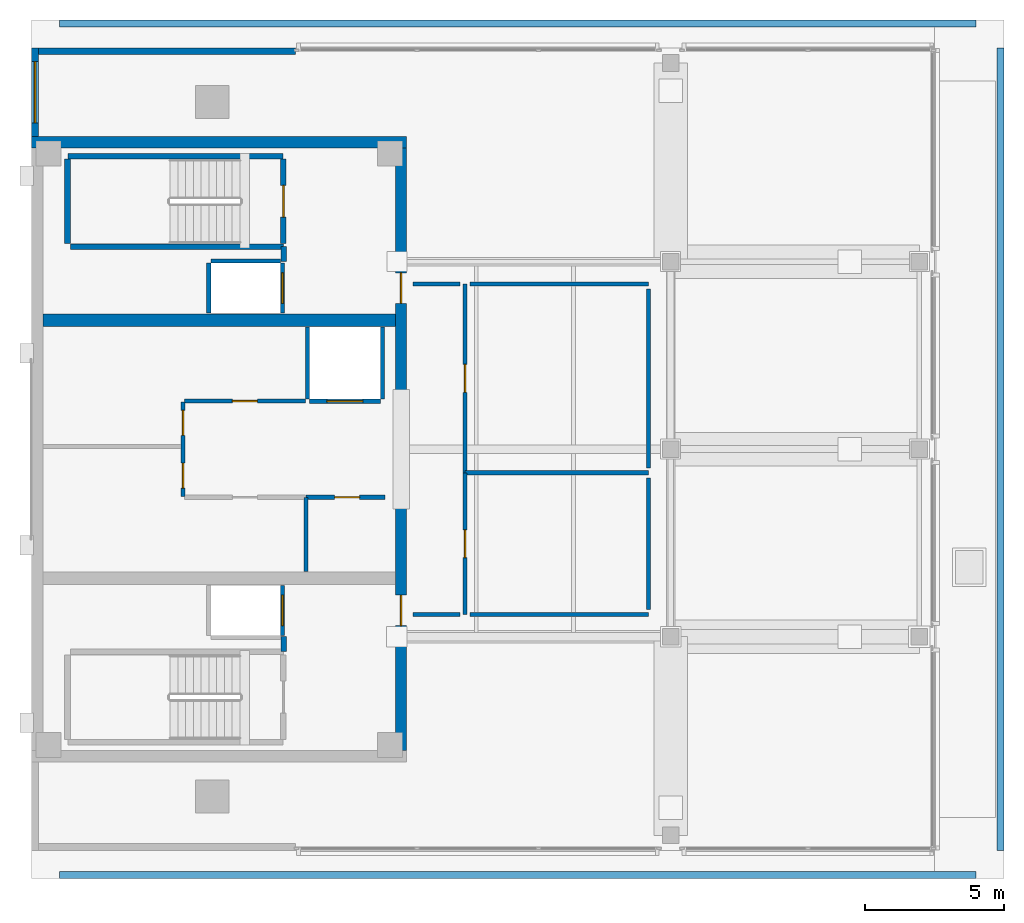
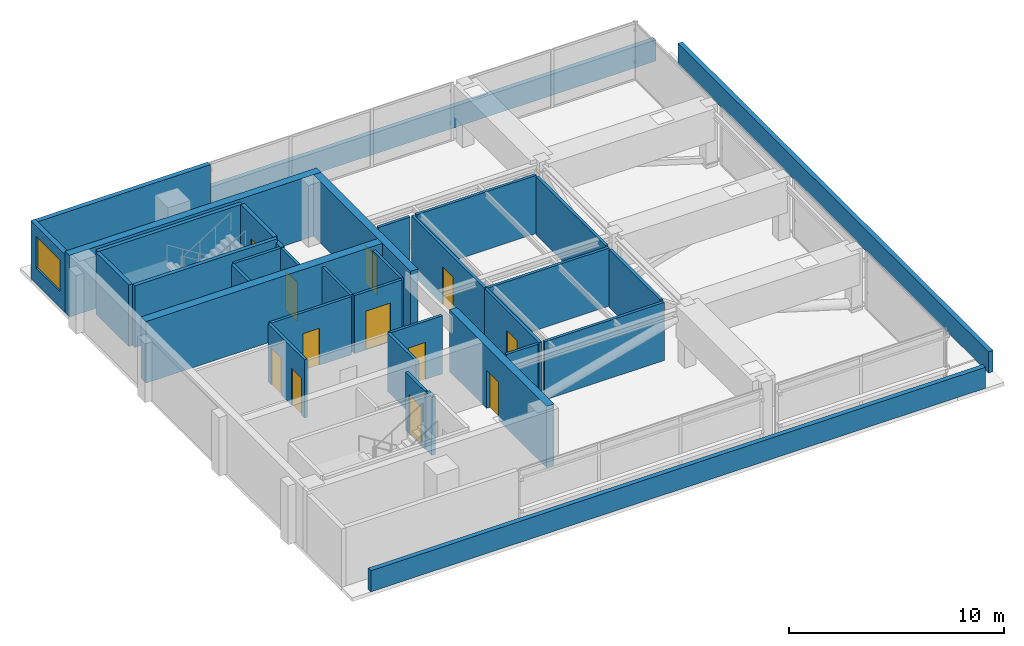
# One storey, part 5 of 10: 35 walls, 12 doors, 1 window, 13 openings.
"""IFC4 building model written with IfcOpenShell, lengths in metres."""

from ifc_helpers import new_model, si_unit, direction, frame, frame_2d, origin, place, context, subcontext, project, spatial, rectangle, extrude, material, layer, layer_set, type_object, element, fill, save


model = new_model("IFC4")

# Units and contexts
model_context = context("Model", 3, precision=1e-05, world=origin(), true_north=direction((0.0, 1.0)))
body_context = subcontext(model_context, "Body", "Model", "MODEL_VIEW")
ifc_project = project(units=[si_unit("LENGTHUNIT", "METRE"), si_unit("AREAUNIT", "SQUARE_METRE"), si_unit("VOLUMEUNIT", "CUBIC_METRE"), si_unit("PLANEANGLEUNIT", "RADIAN"), si_unit("MASSUNIT", "GRAM", prefix="KILO")], contexts=[model_context])

# Site, building, storey
site_placement = place(None, origin())
site = spatial("IfcSite", under=ifc_project, at=site_placement, CompositionType="ELEMENT")
building_placement = place(site_placement, origin())
building = spatial("IfcBuilding", under=site, at=building_placement, Name="Kinhvarn Gate Tower", CompositionType="ELEMENT")
storey_placement = place(building_placement, frame((0.0, 0.0, 311.050048828125)))
storey = spatial("IfcBuildingStorey", under=building, at=storey_placement, Name="L82", CompositionType="ELEMENT", Elevation=311.050048828125)

# Wall
ifc_material_1 = material(Name="Concrete C50/60", Category="concrete")
ifc_layer_1 = layer(ifc_material_1, 0.39990234375)
ifc_layer_set_1 = layer_set([ifc_layer_1], Name="Concrete C50/60")
wall_type_1 = type_object("IfcWallType", Name="WL-CORE-400", PredefinedType="SHEAR", material=ifc_layer_set_1)
wall_1_placement = place(storey_placement, frame((4.5, 36.300048828125, 0.0), z_axis=(0.0, 0.0, 1.0), x_axis=(1.0, 0.0, 0.0)))
element("IfcWall", 1, at=wall_1_placement, inside=storey, type_object=wall_type_1, Name="Core North Shear Wall L82 400 mm", PredefinedType="SHEAR", context=body_context, shape_type="SweptSolid", body=[
    extrude(rectangle(XDim=13.5, YDim=0.39990234375, at=frame_2d((6.75, 0.0))), origin(), (0.0, 0.0, 1.0), 3.5),
])

# Wall, opening, door
wall_2_placement = place(storey_placement, frame((17.800048828125, 14.39990234375, 0.0), z_axis=(0.0, 0.0, 1.0), x_axis=(0.0, 1.0, 0.0)))
wall_2 = element("IfcWall", 2, at=wall_2_placement, inside=storey, type_object=wall_type_1, Name="Core East-South Shear Pier L82 400 mm", PredefinedType="SHEAR", context=body_context, shape_type="SweptSolid", body=[
    extrude(rectangle(XDim=9.050048828125, YDim=0.39990234375, at=frame_2d((4.52490234375, 0.0))), origin(), (0.0, 0.0, 1.0), 3.5),
])
opening_1_placement = place(wall_2_placement, frame((4.5, 0.0, 0.0)))
opening_1 = element("IfcOpeningElement", 3, at=opening_1_placement, cuts=wall_2, Name="Opening FD-02", PredefinedType="OPENING", context=body_context, shape_type="SweptSolid", body=[
    extrude(rectangle(XDim=1.10009765625, YDim=2.14990234375, at=frame_2d((0.550048828125, 1.074951171875))), frame((0.0, 0.2099609375, 0.0), z_axis=(0.0, -1.0, 0.0), x_axis=(1.0, 0.0, 0.0)), (0.0, 0.0, 1.0), 0.419921875),
])
ifc_material_2 = material(Name="Anodised aluminium AW-6063", Category="aluminium")
door_type_1 = type_object("IfcDoorType", Name="DR-FD-1100", OperationType="NOTDEFINED", PredefinedType="DOOR", material=ifc_material_2)
door_1_placement = place(opening_1_placement, origin())
door_1 = element("IfcDoor", 4, at=door_1_placement, inside=storey, type_object=door_type_1, Name="Firefighting Lobby Core Door (L82)", OperationType="SINGLE_SWING_RIGHT", OverallHeight=2.14990234375, OverallWidth=1.10009765625, PredefinedType="DOOR", context=body_context, shape_type="SweptSolid", body=[
    extrude(rectangle(XDim=1.10009765625, YDim=2.14990234375, at=frame_2d((0.550048828125, 1.074951171875))), frame((0.0, 0.02490234375, 0.0), z_axis=(0.0, -1.0, 0.0), x_axis=(1.0, 0.0, 0.0)), (0.0, 0.0, 1.0), 0.050048828125),
])
fill(opening_1, door_1)

wall_3_placement = place(storey_placement, frame((17.800048828125, 27.050048828125, 0.0), z_axis=(0.0, 0.0, 1.0), x_axis=(0.0, 1.0, 0.0)))
wall_3 = element("IfcWall", 5, at=wall_3_placement, inside=storey, type_object=wall_type_1, Name="Core East-North Shear Pier L82 400 mm", PredefinedType="SHEAR", context=body_context, shape_type="SweptSolid", body=[
    extrude(rectangle(XDim=9.050048828125, YDim=0.39990234375, at=frame_2d((4.52490234375, 0.0))), origin(), (0.0, 0.0, 1.0), 3.5),
])
opening_2_placement = place(wall_3_placement, frame((3.449951171875, 0.0, 0.0)))
opening_2 = element("IfcOpeningElement", 6, at=opening_2_placement, cuts=wall_3, Name="Opening FD-02", PredefinedType="OPENING", context=body_context, shape_type="SweptSolid", body=[
    extrude(rectangle(XDim=1.10009765625, YDim=2.14990234375, at=frame_2d((0.550048828125, 1.074951171875))), frame((0.0, 0.2099609375, 0.0), z_axis=(0.0, -1.0, 0.0), x_axis=(1.0, 0.0, 0.0)), (0.0, 0.0, 1.0), 0.419921875),
])
door_2_placement = place(opening_2_placement, origin())
door_2 = element("IfcDoor", 7, at=door_2_placement, inside=storey, type_object=door_type_1, Name="Firefighting Lobby Core Door (L82)", OperationType="SINGLE_SWING_LEFT", OverallHeight=2.14990234375, OverallWidth=1.10009765625, PredefinedType="DOOR", context=body_context, shape_type="SweptSolid", body=[
    extrude(rectangle(XDim=1.10009765625, YDim=2.14990234375, at=frame_2d((0.550048828125, 1.074951171875))), frame((0.0, 0.02490234375, 0.0), z_axis=(0.0, -1.0, 0.0), x_axis=(1.0, 0.0, 0.0)), (0.0, 0.0, 1.0), 0.050048828125),
])
fill(opening_2, door_2)

# Wall
ifc_layer_2 = layer(ifc_material_1, 0.449951171875)
ifc_layer_set_2 = layer_set([ifc_layer_2], Name="Concrete C50/60")
wall_type_2 = type_object("IfcWallType", Name="WL-CORE-450", PredefinedType="SHEAR", material=ifc_layer_set_2)
wall_4_placement = place(storey_placement, frame((4.89990234375, 29.89990234375, 0.0), z_axis=(0.0, 0.0, 1.0), x_axis=(1.0, 0.0, 0.0)))
element("IfcWall", 8, at=wall_4_placement, inside=storey, type_object=wall_type_2, Name="Core North Spine Shear Wall L82 450 mm", PredefinedType="SHEAR", context=body_context, shape_type="SweptSolid", body=[
    extrude(rectangle(XDim=12.7001953125, YDim=0.449951171875, at=frame_2d((6.35009765625, 0.0))), origin(), (0.0, 0.0, 1.0), 3.5),
])

# Wall, opening, window
ifc_material_3 = material(Name="Fired architectural terracotta", Category="masonry")
ifc_layer_3 = layer(ifc_material_3, 0.25)
ifc_layer_set_3 = layer_set([ifc_layer_3], Name="Fired architectural terracotta")
wall_type_3 = type_object("IfcWallType", Name="WL-EXT-250", PredefinedType="SOLIDWALL", material=ifc_layer_set_3)
wall_5_placement = place(storey_placement, frame((4.625, 39.699951171875, 0.0), z_axis=(0.0, 0.0, 1.0), x_axis=(0.0, -1.0, 0.0)))
wall_5 = element("IfcWall", 9, at=wall_5_placement, inside=storey, type_object=wall_type_3, Name="Exterior Solidwall Wall EW-250 (L82 West-North)", PredefinedType="SOLIDWALL", context=body_context, shape_type="SweptSolid", body=[
    extrude(rectangle(XDim=3.199951171875, YDim=0.25, at=frame_2d((1.60009765625, 0.0))), origin(), (0.0, 0.0, 1.0), 3.300048828125),
])
opening_3_placement = place(wall_5_placement, frame((0.5, 0.0, 0.89990234375)))
opening_3 = element("IfcOpeningElement", 10, at=opening_3_placement, cuts=wall_5, Name="Opening WN-01", PredefinedType="OPENING", context=body_context, shape_type="SweptSolid", body=[
    extrude(rectangle(XDim=2.199951171875, YDim=1.800048828125, at=frame_2d((1.10009765625, 0.89990234375))), frame((0.0, 0.135009765625, 0.0), z_axis=(0.0, -1.0, 0.0), x_axis=(1.0, 0.0, 0.0)), (0.0, 0.0, 1.0), 0.27001953125),
])
ifc_material_4 = material(Name="Clear low-e double glazing", Category="glass")
window_type = type_object("IfcWindowType", Name="WIN-RIB-2200", PartitioningType="SINGLE_PANEL", PredefinedType="WINDOW", material=ifc_material_4)
window_placement = place(opening_3_placement, origin())
window = element("IfcWindow", 11, at=window_placement, inside=storey, type_object=window_type, Name="West Flank Double-Glazed Ribbon Window 2200x1800 mm (L82)", OverallHeight=1.800048828125, OverallWidth=2.199951171875, PartitioningType="SINGLE_PANEL", PredefinedType="WINDOW", context=body_context, shape_type="SweptSolid", body=[
    extrude(rectangle(XDim=2.199951171875, YDim=1.800048828125, at=frame_2d((1.10009765625, 0.89990234375))), frame((0.0, 0.030029296875, 0.0), z_axis=(0.0, -1.0, 0.0), x_axis=(1.0, 0.0, 0.0)), (0.0, 0.0, 1.0), 0.06005859375),
])
fill(opening_3, window)

# Walls
wall_6_placement = place(storey_placement, frame((14.0, 39.574951171875, 0.0), z_axis=(0.0, 0.0, 1.0), x_axis=(-1.0, 0.0, 0.0)))
element("IfcWall", 12, at=wall_6_placement, inside=storey, type_object=wall_type_3, Name="Exterior Solidwall Wall EW-250 (L82 Crown-Core-N)", PredefinedType="SOLIDWALL", context=body_context, shape_type="SweptSolid", body=[
    extrude(rectangle(XDim=9.5, YDim=0.25, at=frame_2d((4.75, 0.0))), origin(), (0.0, 0.0, 1.0), 3.300048828125),
])
ifc_layer_4 = layer(ifc_material_3, 0.25)
ifc_layer_set_4 = layer_set([ifc_layer_4], Name="Fired architectural terracotta")
wall_type_4 = type_object("IfcWallType", Name="WL-PAR-250", PredefinedType="PARAPET", material=ifc_layer_set_4)
wall_7_placement = place(storey_placement, frame((39.375, 10.800048828125, 0.0), z_axis=(0.0, 0.0, 1.0), x_axis=(0.0, 1.0, 0.0)))
element("IfcWall", 13, at=wall_7_placement, inside=storey, type_object=wall_type_4, Name="Exterior Parapet Wall PRW-250 (L82 Crown-Step-Parapet-E)", PredefinedType="PARAPET", context=body_context, shape_type="SweptSolid", body=[
    extrude(rectangle(XDim=28.89990234375, YDim=0.25, at=frame_2d((14.449951171875, 0.0))), origin(), (0.0, 0.0, 1.0), 1.199951171875),
])
for number, where, z_axis, x_axis, name in (
    (14, (5.5, 9.925048828125, 0.0), (0.0, 0.0, 1.0), (1.0, 0.0, 0.0), "Exterior Parapet Wall PRW-250 (L82 Crown-Step-Parapet-S)"),
    (15, (38.5, 40.574951171875, 0.0), (0.0, 0.0, 1.0), (-1.0, 0.0, 0.0), "Exterior Parapet Wall PRW-250 (L82 Crown-Step-Parapet-N)"),
):
    element("IfcWall", number, at=place(storey_placement, frame(where, z_axis=z_axis, x_axis=x_axis)), inside=storey, type_object=wall_type_4, Name=name, PredefinedType="PARAPET", context=body_context, shape_type="SweptSolid", body=[
        extrude(rectangle(XDim=33.0, YDim=0.25, at=frame_2d((16.5, 0.0))), origin(), (0.0, 0.0, 1.0), 1.199951171875),
    ])

# Wall, openings, doors
ifc_material_5 = material(Name="Gypsum acoustic partition board")
ifc_layer_5 = layer(ifc_material_5, 0.14990234375)
ifc_layer_set_5 = layer_set([ifc_layer_5], Name="Gypsum acoustic partition board")
wall_type_5 = type_object("IfcWallType", Name="WL-PRT-150F", PredefinedType="PARTITIONING", material=ifc_layer_set_5)
wall_8_placement = place(storey_placement, frame((9.949951171875, 23.550048828125, 0.0), z_axis=(0.0, 0.0, 1.0), x_axis=(0.0, 1.0, 0.0)))
wall_8 = element("IfcWall", 16, at=wall_8_placement, inside=storey, type_object=wall_type_5, Name="Interior Partition PW-150F (L82)", PredefinedType="PARTITIONING", context=body_context, shape_type="SweptSolid", body=[
    extrude(rectangle(XDim=3.39990234375, YDim=0.14990234375, at=frame_2d((1.699951171875, 0.0))), origin(), (0.0, 0.0, 1.0), 3.300048828125),
])
opening_4_placement = place(wall_8_placement, frame((0.298095703125, 0.0, 0.0)))
opening_4 = element("IfcOpeningElement", 17, at=opening_4_placement, cuts=wall_8, Name="Opening FD-04", PredefinedType="OPENING", context=body_context, shape_type="SweptSolid", body=[
    extrude(rectangle(XDim=0.89990234375, YDim=2.10009765625, at=frame_2d((0.449951171875, 1.050048828125))), frame((0.0, 0.0849609375, 0.0), z_axis=(0.0, -1.0, 0.0), x_axis=(1.0, 0.0, 0.0)), (0.0, 0.0, 1.0), 0.169921875),
])
opening_5_placement = place(wall_8_placement, frame((2.201904296875, 0.0, 0.0)))
opening_5 = element("IfcOpeningElement", 18, at=opening_5_placement, cuts=wall_8, Name="Opening FD-04", PredefinedType="OPENING", context=body_context, shape_type="SweptSolid", body=[
    extrude(rectangle(XDim=0.89990234375, YDim=2.10009765625, at=frame_2d((0.449951171875, 1.050048828125))), frame((0.0, 0.0849609375, 0.0), z_axis=(0.0, -1.0, 0.0), x_axis=(1.0, 0.0, 0.0)), (0.0, 0.0, 1.0), 0.169921875),
])
door_type_2 = type_object("IfcDoorType", Name="DR-FD-900", OperationType="NOTDEFINED", PredefinedType="DOOR", material=ifc_material_2)
door_3_placement = place(opening_4_placement, origin())
door_3 = element("IfcDoor", 19, at=door_3_placement, inside=storey, type_object=door_type_2, Name="Rated Riser & Service Closet Fire Door 900x2100 mm (L82)", OperationType="SINGLE_SWING_RIGHT", OverallHeight=2.10009765625, OverallWidth=0.89990234375, PredefinedType="DOOR", context=body_context, shape_type="SweptSolid", body=[
    extrude(rectangle(XDim=0.89990234375, YDim=2.10009765625, at=frame_2d((0.449951171875, 1.050048828125))), frame((0.0, 0.02490234375, 0.0), z_axis=(0.0, -1.0, 0.0), x_axis=(1.0, 0.0, 0.0)), (0.0, 0.0, 1.0), 0.050048828125),
])
fill(opening_4, door_3)
door_4_placement = place(opening_5_placement, origin())
door_4 = element("IfcDoor", 20, at=door_4_placement, inside=storey, type_object=door_type_2, Name="Rated Riser & Service Closet Fire Door 900x2100 mm (L82)", OperationType="SINGLE_SWING_LEFT", OverallHeight=2.10009765625, OverallWidth=0.89990234375, PredefinedType="DOOR", context=body_context, shape_type="SweptSolid", body=[
    extrude(rectangle(XDim=0.89990234375, YDim=2.10009765625, at=frame_2d((0.449951171875, 1.050048828125))), frame((0.0, 0.02490234375, 0.0), z_axis=(0.0, -1.0, 0.0), x_axis=(1.0, 0.0, 0.0)), (0.0, 0.0, 1.0), 0.050048828125),
])
fill(opening_5, door_4)

# Wall, opening, door
wall_9_placement = place(storey_placement, frame((10.0, 26.97998046875, 0.0), z_axis=(0.0, 0.0, 1.0), x_axis=(1.0, 0.0, 0.0)))
wall_9 = element("IfcWall", 21, at=wall_9_placement, inside=storey, type_object=wall_type_5, Name="Interior Partition PW-150F (L82)", PredefinedType="PARTITIONING", context=body_context, shape_type="SweptSolid", body=[
    extrude(rectangle(XDim=4.35009765625, YDim=0.14990234375, at=frame_2d((2.175048828125, 0.0))), origin(), (0.0, 0.0, 1.0), 3.300048828125),
])
opening_6_placement = place(wall_9_placement, frame((1.72509765625, 0.0, 0.0)))
opening_6 = element("IfcOpeningElement", 22, at=opening_6_placement, cuts=wall_9, Name="Opening FD-04", PredefinedType="OPENING", context=body_context, shape_type="SweptSolid", body=[
    extrude(rectangle(XDim=0.89990234375, YDim=2.10009765625, at=frame_2d((0.449951171875, 1.050048828125))), frame((0.0, 0.0849609375, 0.0), z_axis=(0.0, -1.0, 0.0), x_axis=(1.0, 0.0, 0.0)), (0.0, 0.0, 1.0), 0.169921875),
])
door_5_placement = place(opening_6_placement, origin())
door_5 = element("IfcDoor", 23, at=door_5_placement, inside=storey, type_object=door_type_2, Name="Rated Riser & Service Closet Fire Door 900x2100 mm (L82)", OperationType="SINGLE_SWING_LEFT", OverallHeight=2.10009765625, OverallWidth=0.89990234375, PredefinedType="DOOR", context=body_context, shape_type="SweptSolid", body=[
    extrude(rectangle(XDim=0.89990234375, YDim=2.10009765625, at=frame_2d((0.449951171875, 1.050048828125))), frame((0.0, 0.02490234375, 0.0), z_axis=(0.0, -1.0, 0.0), x_axis=(1.0, 0.0, 0.0)), (0.0, 0.0, 1.0), 0.050048828125),
])
fill(opening_6, door_5)

# Wall
wall_10_placement = place(storey_placement, frame((14.3798828125, 20.85009765625, 0.0), z_axis=(0.0, 0.0, 1.0), x_axis=(0.0, 1.0, 0.0)))
element("IfcWall", 24, at=wall_10_placement, inside=storey, type_object=wall_type_5, Name="Interior Partition PW-150F (L82)", PredefinedType="PARTITIONING", context=body_context, shape_type="SweptSolid", body=[
    extrude(rectangle(XDim=2.669921875, YDim=0.14990234375, at=frame_2d((1.3349609375, 0.0))), origin(), (0.0, 0.0, 1.0), 3.300048828125),
])

# Wall, opening, door
wall_11_placement = place(storey_placement, frame((14.3798828125, 23.52001953125, 0.0), z_axis=(0.0, 0.0, 1.0), x_axis=(1.0, 0.0, 0.0)))
wall_11 = element("IfcWall", 25, at=wall_11_placement, inside=storey, type_object=wall_type_5, Name="Interior Partition PW-150F (L82)", PredefinedType="PARTITIONING", context=body_context, shape_type="SweptSolid", body=[
    extrude(rectangle(XDim=2.840087890625, YDim=0.14990234375, at=frame_2d((1.419921875, 0.0))), origin(), (0.0, 0.0, 1.0), 3.300048828125),
])
opening_7_placement = place(wall_11_placement, frame((1.02685546875, 0.0, 0.0)))
opening_7 = element("IfcOpeningElement", 26, at=opening_7_placement, cuts=wall_11, Name="Opening FD-04", PredefinedType="OPENING", context=body_context, shape_type="SweptSolid", body=[
    extrude(rectangle(XDim=0.89990234375, YDim=2.10009765625, at=frame_2d((0.449951171875, 1.050048828125))), frame((0.0, 0.0849609375, 0.0), z_axis=(0.0, -1.0, 0.0), x_axis=(1.0, 0.0, 0.0)), (0.0, 0.0, 1.0), 0.169921875),
])
door_6_placement = place(opening_7_placement, origin())
door_6 = element("IfcDoor", 27, at=door_6_placement, inside=storey, type_object=door_type_2, Name="Rated Riser & Service Closet Fire Door 900x2100 mm (L82)", OperationType="SINGLE_SWING_RIGHT", OverallHeight=2.10009765625, OverallWidth=0.89990234375, PredefinedType="DOOR", context=body_context, shape_type="SweptSolid", body=[
    extrude(rectangle(XDim=0.89990234375, YDim=2.10009765625, at=frame_2d((0.449951171875, 1.050048828125))), frame((0.0, 0.02490234375, 0.0), z_axis=(0.0, -1.0, 0.0), x_axis=(1.0, 0.0, 0.0)), (0.0, 0.0, 1.0), 0.050048828125),
])
fill(opening_7, door_6)

wall_12_placement = place(storey_placement, frame((20.10009765625, 19.300048828125, 0.0), z_axis=(0.0, 0.0, 1.0), x_axis=(0.0, 1.0, 0.0)))
wall_12 = element("IfcWall", 28, at=wall_12_placement, inside=storey, type_object=wall_type_5, Name="Interior Partition PW-150F (L82)", PredefinedType="PARTITIONING", context=body_context, shape_type="SweptSolid", body=[
    extrude(rectangle(XDim=5.099853515625, YDim=0.14990234375, at=frame_2d((2.5498046875, 0.0))), origin(), (0.0, 0.0, 1.0), 3.300048828125),
])
opening_8_placement = place(wall_12_placement, frame((2.050048828125, 0.0, 0.0)))
opening_8 = element("IfcOpeningElement", 29, at=opening_8_placement, cuts=wall_12, Name="Opening FD-03", PredefinedType="OPENING", context=body_context, shape_type="SweptSolid", body=[
    extrude(rectangle(XDim=1.0, YDim=2.14990234375, at=frame_2d((0.5, 1.074951171875))), frame((0.0, 0.0849609375, 0.0), z_axis=(0.0, -1.0, 0.0), x_axis=(1.0, 0.0, 0.0)), (0.0, 0.0, 1.0), 0.169921875),
])
door_type_3 = type_object("IfcDoorType", Name="DR-FD-1000", OperationType="NOTDEFINED", PredefinedType="DOOR", material=ifc_material_2)
door_7_placement = place(opening_8_placement, origin())
door_7 = element("IfcDoor", 30, at=door_7_placement, inside=storey, type_object=door_type_3, Name="Rated Plant & Corridor Fire Door 1000x2150 mm (L82)", OperationType="SINGLE_SWING_LEFT", OverallHeight=2.14990234375, OverallWidth=1.0, PredefinedType="DOOR", context=body_context, shape_type="SweptSolid", body=[
    extrude(rectangle(XDim=1.0, YDim=2.14990234375, at=frame_2d((0.5, 1.074951171875))), frame((0.0, 0.02490234375, 0.0), z_axis=(0.0, -1.0, 0.0), x_axis=(1.0, 0.0, 0.0)), (0.0, 0.0, 1.0), 0.050048828125),
])
fill(opening_8, door_7)

wall_13_placement = place(storey_placement, frame((20.10009765625, 24.39990234375, 0.0), z_axis=(0.0, 0.0, 1.0), x_axis=(0.0, 1.0, 0.0)))
wall_13 = element("IfcWall", 31, at=wall_13_placement, inside=storey, type_object=wall_type_5, Name="Interior Partition PW-150F (L82)", PredefinedType="PARTITIONING", context=body_context, shape_type="SweptSolid", body=[
    extrude(rectangle(XDim=6.800048828125, YDim=0.14990234375, at=frame_2d((3.39990234375, 0.0))), origin(), (0.0, 0.0, 1.0), 3.300048828125),
])
opening_9_placement = place(wall_13_placement, frame((2.89990234375, 0.0, 0.0)))
opening_9 = element("IfcOpeningElement", 32, at=opening_9_placement, cuts=wall_13, Name="Opening FD-03", PredefinedType="OPENING", context=body_context, shape_type="SweptSolid", body=[
    extrude(rectangle(XDim=1.0, YDim=2.14990234375, at=frame_2d((0.5, 1.074951171875))), frame((0.0, 0.0849609375, 0.0), z_axis=(0.0, -1.0, 0.0), x_axis=(1.0, 0.0, 0.0)), (0.0, 0.0, 1.0), 0.169921875),
])
door_8_placement = place(opening_9_placement, origin())
door_8 = element("IfcDoor", 33, at=door_8_placement, inside=storey, type_object=door_type_3, Name="Rated Plant & Corridor Fire Door 1000x2150 mm (L82)", OperationType="SINGLE_SWING_RIGHT", OverallHeight=2.14990234375, OverallWidth=1.0, PredefinedType="DOOR", context=body_context, shape_type="SweptSolid", body=[
    extrude(rectangle(XDim=1.0, YDim=2.14990234375, at=frame_2d((0.5, 1.074951171875))), frame((0.0, 0.02490234375, 0.0), z_axis=(0.0, -1.0, 0.0), x_axis=(1.0, 0.0, 0.0)), (0.0, 0.0, 1.0), 0.050048828125),
])
fill(opening_9, door_8)

# Walls
wall_14_placement = place(storey_placement, frame((20.10009765625, 24.39990234375, 0.0), z_axis=(0.0, 0.0, 1.0), x_axis=(1.0, 0.0, 0.0)))
element("IfcWall", 34, at=wall_14_placement, inside=storey, type_object=wall_type_5, Name="Interior Partition PW-150F (L82)", PredefinedType="PARTITIONING", context=body_context, shape_type="SweptSolid", body=[
    extrude(rectangle(XDim=6.599853515625, YDim=0.14990234375, at=frame_2d((3.2998046875, 0.0))), origin(), (0.0, 0.0, 1.0), 3.300048828125),
])
wall_15_placement = place(storey_placement, frame((26.699951171875, 19.300048828125, 0.0), z_axis=(0.0, 0.0, 1.0), x_axis=(-1.0, 0.0, 0.0)))
element("IfcWall", 35, at=wall_15_placement, inside=storey, type_object=wall_type_5, Name="Interior Partition PW-150F (L82)", PredefinedType="PARTITIONING", context=body_context, shape_type="SweptSolid", body=[
    extrude(rectangle(XDim=6.419921875, YDim=0.14990234375, at=frame_2d((3.2099609375, 0.0))), origin(), (0.0, 0.0, 1.0), 3.300048828125),
])
for number, where, z_axis, x_axis, name in (
    (36, (19.919921875, 19.300048828125, 0.0), (0.0, 0.0, 1.0), (-1.0, 0.0, 0.0), "Interior Partition PW-150F (L82)"),
    (37, (18.219970703125, 31.199951171875, 0.0), (0.0, 0.0, 1.0), (1.0, 0.0, 0.0), "Interior Partition PW-150F (L82)"),
):
    element("IfcWall", number, at=place(storey_placement, frame(where, z_axis=z_axis, x_axis=x_axis)), inside=storey, type_object=wall_type_5, Name=name, PredefinedType="PARTITIONING", context=body_context, shape_type="SweptSolid", body=[
        extrude(rectangle(XDim=1.699951171875, YDim=0.14990234375, at=frame_2d((0.85009765625, 0.0))), origin(), (0.0, 0.0, 1.0), 3.300048828125),
    ])
wall_16_placement = place(storey_placement, frame((20.280029296875, 31.199951171875, 0.0), z_axis=(0.0, 0.0, 1.0), x_axis=(1.0, 0.0, 0.0)))
element("IfcWall", 38, at=wall_16_placement, inside=storey, type_object=wall_type_5, Name="Interior Partition PW-150F (L82)", PredefinedType="PARTITIONING", context=body_context, shape_type="SweptSolid", body=[
    extrude(rectangle(XDim=6.419921875, YDim=0.14990234375, at=frame_2d((3.2099609375, 0.0))), origin(), (0.0, 0.0, 1.0), 3.300048828125),
])
wall_17_placement = place(storey_placement, frame((26.699951171875, 31.02001953125, 0.0), z_axis=(0.0, 0.0, 1.0), x_axis=(0.0, -1.0, 0.0)))
element("IfcWall", 39, at=wall_17_placement, inside=storey, type_object=wall_type_5, Name="Interior Partition PW-150F (L82)", PredefinedType="PARTITIONING", context=body_context, shape_type="SweptSolid", body=[
    extrude(rectangle(XDim=6.43994140625, YDim=0.14990234375, at=frame_2d((3.219970703125, 0.0))), origin(), (0.0, 0.0, 1.0), 3.300048828125),
])
wall_18_placement = place(storey_placement, frame((26.699951171875, 24.219970703125, 0.0), z_axis=(0.0, 0.0, 1.0), x_axis=(0.0, -1.0, 0.0)))
element("IfcWall", 40, at=wall_18_placement, inside=storey, type_object=wall_type_5, Name="Interior Partition PW-150F (L82)", PredefinedType="PARTITIONING", context=body_context, shape_type="SweptSolid", body=[
    extrude(rectangle(XDim=4.739990234375, YDim=0.14990234375, at=frame_2d((2.3701171875, 0.0))), origin(), (0.0, 0.0, 1.0), 3.300048828125),
])
ifc_layer_6 = layer(ifc_material_5, 0.199951171875)
ifc_layer_set_6 = layer_set([ifc_layer_6], Name="Gypsum acoustic partition board")
wall_type_6 = type_object("IfcWallType", Name="WL-PRT-200", PredefinedType="PARTITIONING", material=ifc_layer_set_6)
for number, where, z_axis, x_axis, name in (
    (41, (13.580078125, 17.9599609375, 0.0), (0.0, 0.0, 1.0), (0.0, 1.0, 0.0), "Interior Partition PW-200 (L82)"),
    (42, (13.580078125, 32.0, 0.0), (0.0, 0.0, 1.0), (0.0, 1.0, 0.0), "Interior Partition PW-200 (L82)"),
):
    element("IfcWall", number, at=place(storey_placement, frame(where, z_axis=z_axis, x_axis=x_axis)), inside=storey, type_object=wall_type_6, Name=name, PredefinedType="PARTITIONING", context=body_context, shape_type="SweptSolid", body=[
        extrude(rectangle(XDim=0.5400390625, YDim=0.199951171875, at=frame_2d((0.27001953125, 0.0))), origin(), (0.0, 0.0, 1.0), 3.300048828125),
    ])

# Wall, opening, door
ifc_layer_7 = layer(ifc_material_5, 0.14990234375)
ifc_layer_set_7 = layer_set([ifc_layer_7], Name="Gypsum acoustic partition board")
wall_type_7 = type_object("IfcWallType", Name="WL-SHF-150", PredefinedType="PARTITIONING", material=ifc_layer_set_7)
wall_19_placement = place(storey_placement, frame((14.5, 26.97509765625, 0.0), z_axis=(0.0, 0.0, 1.0), x_axis=(1.0, 0.0, 0.0)))
wall_19 = element("IfcWall", 43, at=wall_19_placement, inside=storey, type_object=wall_type_7, Name="Elevator SV-01 Landing Wall (L82)", PredefinedType="PARTITIONING", context=body_context, shape_type="SweptSolid", body=[
    extrude(rectangle(XDim=2.550048828125, YDim=0.14990234375, at=frame_2d((1.27490234375, 0.0))), origin(), (0.0, 0.0, 1.0), 3.300048828125),
])
opening_10_placement = place(wall_19_placement, frame((0.625, 0.0, 0.0)))
opening_10 = element("IfcOpeningElement", 44, at=opening_10_placement, cuts=wall_19, Name="Opening LD-02", PredefinedType="OPENING", context=body_context, shape_type="SweptSolid", body=[
    extrude(rectangle(XDim=1.300048828125, YDim=2.199951171875, at=frame_2d((0.64990234375, 1.10009765625))), frame((0.0, 0.0849609375, 0.0), z_axis=(0.0, -1.0, 0.0), x_axis=(1.0, 0.0, 0.0)), (0.0, 0.0, 1.0), 0.169921875),
])
door_type_4 = type_object("IfcDoorType", Name="DR-LND-SRV", OperationType="NOTDEFINED", PredefinedType="DOOR", material=ifc_material_2)
door_9_placement = place(opening_10_placement, origin())
door_9 = element("IfcDoor", 45, at=door_9_placement, inside=storey, type_object=door_type_4, Name="Elevator SV-01 Sliding Landing Door (L82)", OperationType="DOUBLE_DOOR_SLIDING", OverallHeight=2.199951171875, OverallWidth=1.300048828125, PredefinedType="DOOR", context=body_context, shape_type="SweptSolid", body=[
    extrude(rectangle(XDim=1.300048828125, YDim=2.199951171875, at=frame_2d((0.64990234375, 1.10009765625))), frame((0.0, 0.02490234375, 0.0), z_axis=(0.0, -1.0, 0.0), x_axis=(1.0, 0.0, 0.0)), (0.0, 0.0, 1.0), 0.050048828125),
])
fill(opening_10, door_9)

# Walls
for number, where, z_axis, x_axis, name in (
    (46, (14.425048828125, 27.050048828125, 0.0), (0.0, 0.0, 1.0), (0.0, 1.0, 0.0), "Elevator SV-01 Hoistway Wall W (L82)"),
    (47, (17.125, 27.050048828125, 0.0), (0.0, 0.0, 1.0), (0.0, 1.0, 0.0), "Elevator SV-01 Hoistway Wall E (L82)"),
):
    element("IfcWall", number, at=place(storey_placement, frame(where, z_axis=z_axis, x_axis=x_axis)), inside=storey, type_object=wall_type_7, Name=name, PredefinedType="PARTITIONING", context=body_context, shape_type="SweptSolid", body=[
        extrude(rectangle(XDim=2.599853515625, YDim=0.14990234375, at=frame_2d((1.2998046875, 0.0))), origin(), (0.0, 0.0, 1.0), 3.300048828125),
    ])

# Wall, opening, door
wall_20_placement = place(storey_placement, frame((13.52490234375, 18.550048828125, 0.0), z_axis=(0.0, 0.0, 1.0), x_axis=(0.0, 1.0, 0.0)))
wall_20 = element("IfcWall", 48, at=wall_20_placement, inside=storey, type_object=wall_type_7, Name="Elevator FF1 Landing Wall (L82)", PredefinedType="PARTITIONING", context=body_context, shape_type="SweptSolid", body=[
    extrude(rectangle(XDim=1.800048828125, YDim=0.14990234375, at=frame_2d((0.89990234375, 0.0))), origin(), (0.0, 0.0, 1.0), 3.300048828125),
])
opening_11_placement = place(wall_20_placement, frame((0.35009765625, 0.0, 0.0)))
opening_11 = element("IfcOpeningElement", 49, at=opening_11_placement, cuts=wall_20, Name="Opening LD-03", PredefinedType="OPENING", context=body_context, shape_type="SweptSolid", body=[
    extrude(rectangle(XDim=1.10009765625, YDim=2.199951171875, at=frame_2d((0.550048828125, 1.10009765625))), frame((0.0, 0.0849609375, 0.0), z_axis=(0.0, -1.0, 0.0), x_axis=(1.0, 0.0, 0.0)), (0.0, 0.0, 1.0), 0.169921875),
])
door_type_5 = type_object("IfcDoorType", Name="DR-LND-FF", OperationType="NOTDEFINED", PredefinedType="DOOR", material=ifc_material_2)
door_10_placement = place(opening_11_placement, origin())
door_10 = element("IfcDoor", 50, at=door_10_placement, inside=storey, type_object=door_type_5, Name="Elevator FF1 Sliding Landing Door (L82)", OperationType="DOUBLE_DOOR_SLIDING", OverallHeight=2.199951171875, OverallWidth=1.10009765625, PredefinedType="DOOR", context=body_context, shape_type="SweptSolid", body=[
    extrude(rectangle(XDim=1.10009765625, YDim=2.199951171875, at=frame_2d((0.550048828125, 1.10009765625))), frame((0.0, 0.02490234375, 0.0), z_axis=(0.0, -1.0, 0.0), x_axis=(1.0, 0.0, 0.0)), (0.0, 0.0, 1.0), 0.050048828125),
])
fill(opening_11, door_10)

# Walls
wall_21_placement = place(storey_placement, frame((10.949951171875, 32.02490234375, 0.0), z_axis=(0.0, 0.0, 1.0), x_axis=(1.0, 0.0, 0.0)))
element("IfcWall", 51, at=wall_21_placement, inside=storey, type_object=wall_type_7, Name="Elevator FF2 Hoistway Wall N (L82)", PredefinedType="PARTITIONING", context=body_context, shape_type="SweptSolid", body=[
    extrude(rectangle(XDim=2.5, YDim=0.14990234375, at=frame_2d((1.25, 0.0))), origin(), (0.0, 0.0, 1.0), 3.300048828125),
])
wall_22_placement = place(storey_placement, frame((10.875, 30.14990234375, 0.0), z_axis=(0.0, 0.0, 1.0), x_axis=(0.0, 1.0, 0.0)))
element("IfcWall", 52, at=wall_22_placement, inside=storey, type_object=wall_type_7, Name="Elevator FF2 Hoistway Wall W (L82)", PredefinedType="PARTITIONING", context=body_context, shape_type="SweptSolid", body=[
    extrude(rectangle(XDim=1.800048828125, YDim=0.14990234375, at=frame_2d((0.89990234375, 0.0))), origin(), (0.0, 0.0, 1.0), 3.300048828125),
])

# Wall, opening, door
wall_23_placement = place(storey_placement, frame((13.52490234375, 30.14990234375, 0.0), z_axis=(0.0, 0.0, 1.0), x_axis=(0.0, 1.0, 0.0)))
wall_23 = element("IfcWall", 53, at=wall_23_placement, inside=storey, type_object=wall_type_7, Name="Elevator FF2 Landing Wall (L82)", PredefinedType="PARTITIONING", context=body_context, shape_type="SweptSolid", body=[
    extrude(rectangle(XDim=1.800048828125, YDim=0.14990234375, at=frame_2d((0.89990234375, 0.0))), origin(), (0.0, 0.0, 1.0), 3.300048828125),
])
opening_12_placement = place(wall_23_placement, frame((0.35009765625, 0.0, 0.0)))
opening_12 = element("IfcOpeningElement", 54, at=opening_12_placement, cuts=wall_23, Name="Opening LD-03", PredefinedType="OPENING", context=body_context, shape_type="SweptSolid", body=[
    extrude(rectangle(XDim=1.10009765625, YDim=2.199951171875, at=frame_2d((0.550048828125, 1.10009765625))), frame((0.0, 0.0849609375, 0.0), z_axis=(0.0, -1.0, 0.0), x_axis=(1.0, 0.0, 0.0)), (0.0, 0.0, 1.0), 0.169921875),
])
door_11_placement = place(opening_12_placement, origin())
door_11 = element("IfcDoor", 55, at=door_11_placement, inside=storey, type_object=door_type_5, Name="Elevator FF2 Sliding Landing Door (L82)", OperationType="DOUBLE_DOOR_SLIDING", OverallHeight=2.199951171875, OverallWidth=1.10009765625, PredefinedType="DOOR", context=body_context, shape_type="SweptSolid", body=[
    extrude(rectangle(XDim=1.10009765625, YDim=2.199951171875, at=frame_2d((0.550048828125, 1.10009765625))), frame((0.0, 0.02490234375, 0.0), z_axis=(0.0, -1.0, 0.0), x_axis=(1.0, 0.0, 0.0)), (0.0, 0.0, 1.0), 0.050048828125),
])
fill(opening_12, door_11)

# Walls
ifc_material_6 = material(Name="Concrete C40/50", Category="concrete")
ifc_layer_8 = layer(ifc_material_6, 0.199951171875)
ifc_layer_set_8 = layer_set([ifc_layer_8], Name="Concrete C40/50")
wall_type_8 = type_object("IfcWallType", Name="WL-SHF-200", PredefinedType="SOLIDWALL", material=ifc_layer_set_8)
wall_24_placement = place(storey_placement, frame((5.800048828125, 35.800048828125, 0.0), z_axis=(0.0, 0.0, 1.0), x_axis=(1.0, 0.0, 0.0)))
element("IfcWall", 56, at=wall_24_placement, inside=storey, type_object=wall_type_8, Name="Stair ST2 North Shaft Wall (L82)", PredefinedType="SOLIDWALL", context=body_context, shape_type="SweptSolid", body=[
    extrude(rectangle(XDim=7.75, YDim=0.199951171875, at=frame_2d((3.875, 0.0))), origin(), (0.0, 0.0, 1.0), 3.5),
])
wall_25_placement = place(storey_placement, frame((5.7900390625, 32.64990234375, 0.0), z_axis=(0.0, 0.0, 1.0), x_axis=(0.0, 1.0, 0.0)))
element("IfcWall", 57, at=wall_25_placement, inside=storey, type_object=wall_type_8, Name="Stair ST2 West Shaft Wall (L82)", PredefinedType="SOLIDWALL", context=body_context, shape_type="SweptSolid", body=[
    extrude(rectangle(XDim=3.050048828125, YDim=0.199951171875, at=frame_2d((1.52490234375, 0.0))), origin(), (0.0, 0.0, 1.0), 3.5),
])
wall_26_placement = place(storey_placement, frame((5.89990234375, 32.5400390625, 0.0), z_axis=(0.0, 0.0, 1.0), x_axis=(1.0, 0.0, 0.0)))
element("IfcWall", 58, at=wall_26_placement, inside=storey, type_object=wall_type_8, Name="Stair ST2 South Shaft Wall (L82)", PredefinedType="SOLIDWALL", context=body_context, shape_type="SweptSolid", body=[
    extrude(rectangle(XDim=7.66015625, YDim=0.199951171875, at=frame_2d((3.830078125, 0.0))), origin(), (0.0, 0.0, 1.0), 3.5),
])

# Wall, opening, door
wall_27_placement = place(storey_placement, frame((13.56005859375, 32.64990234375, 0.0), z_axis=(0.0, 0.0, 1.0), x_axis=(0.0, 1.0, 0.0)))
wall_27 = element("IfcWall", 59, at=wall_27_placement, inside=storey, type_object=wall_type_8, Name="Stair ST2 East Entry Wall (L82)", PredefinedType="SOLIDWALL", context=body_context, shape_type="SweptSolid", body=[
    extrude(rectangle(XDim=3.050048828125, YDim=0.199951171875, at=frame_2d((1.52490234375, 0.0))), origin(), (0.0, 0.0, 1.0), 3.5),
])
opening_13_placement = place(wall_27_placement, frame((0.949951171875, 0.0, 0.0)))
opening_13 = element("IfcOpeningElement", 60, at=opening_13_placement, cuts=wall_27, Name="Opening FD-01", PredefinedType="OPENING", context=body_context, shape_type="SweptSolid", body=[
    extrude(rectangle(XDim=1.14990234375, YDim=2.14990234375, at=frame_2d((0.574951171875, 1.074951171875))), frame((0.0, 0.10986328125, 0.0), z_axis=(0.0, -1.0, 0.0), x_axis=(1.0, 0.0, 0.0)), (0.0, 0.0, 1.0), 0.219970703125),
])
door_type_6 = type_object("IfcDoorType", Name="DR-ST-1150", OperationType="NOTDEFINED", PredefinedType="DOOR", material=ifc_material_2)
door_12_placement = place(opening_13_placement, origin())
door_12 = element("IfcDoor", 61, at=door_12_placement, inside=storey, type_object=door_type_6, Name="Exit Stair ST2 Fire Door (L82)", OperationType="SINGLE_SWING_LEFT", OverallHeight=2.14990234375, OverallWidth=1.14990234375, PredefinedType="DOOR", context=body_context, shape_type="SweptSolid", body=[
    extrude(rectangle(XDim=1.14990234375, YDim=2.14990234375, at=frame_2d((0.574951171875, 1.074951171875))), frame((0.0, 0.02490234375, 0.0), z_axis=(0.0, -1.0, 0.0), x_axis=(1.0, 0.0, 0.0)), (0.0, 0.0, 1.0), 0.050048828125),
])
fill(opening_13, door_12)

save(model, "model.ifc")
